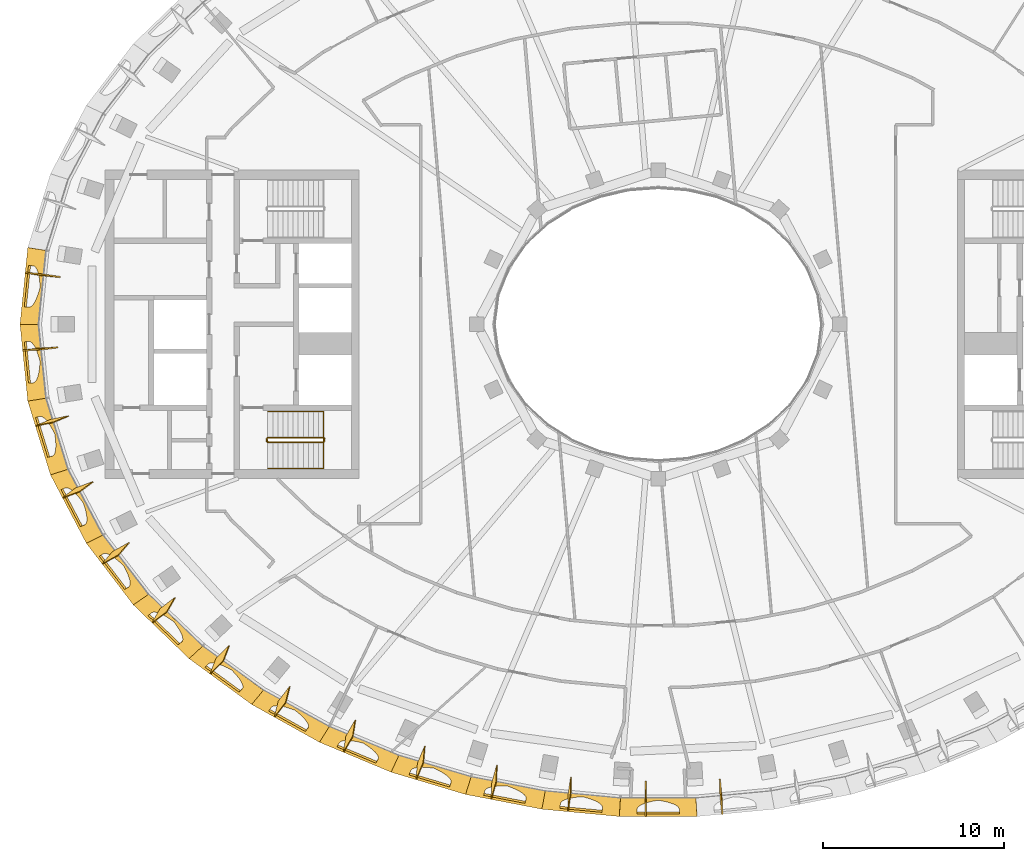
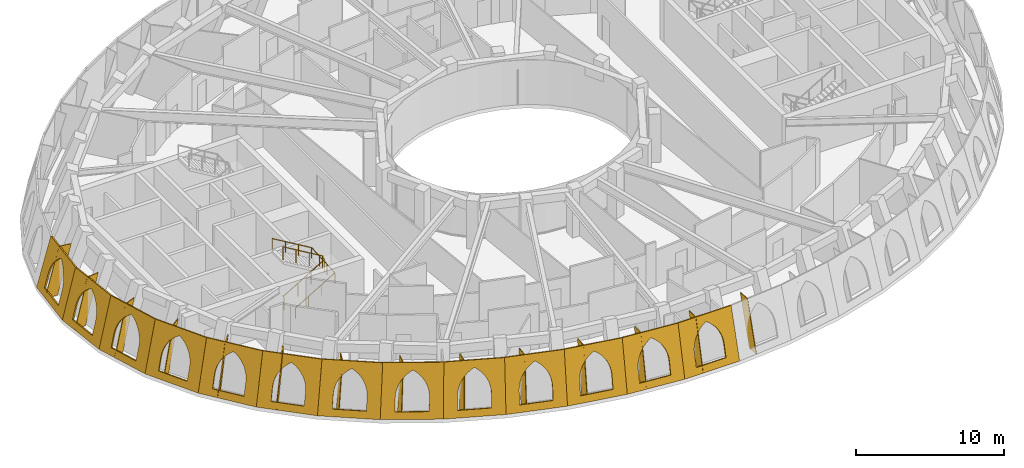
# One storey, part 11 of 14: 27 coverings, 2 railings.
"""IFC4 building model written with IfcOpenShell, lengths in metres."""

from ifc_helpers import new_model, si_unit, direction, frame, origin, origin_2d, place, context, subcontext, project, spatial, polyline, rectangle, outline, extrude, material, layer, layer_set, type_object, element, save


model = new_model("IFC4")

# Units and contexts
model_context = context("Model", 3, precision=1e-05, world=origin(), true_north=direction((0.0, 1.0)))
body_context = subcontext(model_context, "Body", "Model", "MODEL_VIEW")
ifc_project = project(units=[si_unit("LENGTHUNIT", "METRE"), si_unit("AREAUNIT", "SQUARE_METRE"), si_unit("VOLUMEUNIT", "CUBIC_METRE"), si_unit("PLANEANGLEUNIT", "RADIAN"), si_unit("MASSUNIT", "GRAM", prefix="KILO")], contexts=[model_context])

# Site, building, storey
site_placement = place(None, origin())
site = spatial("IfcSite", under=ifc_project, at=site_placement, CompositionType="ELEMENT")
building_placement = place(site_placement, origin())
building = spatial("IfcBuilding", under=site, at=building_placement, Name="Noorbagh Ring Tower", CompositionType="ELEMENT")
storey_placement = place(building_placement, frame((0.0, 0.0, 339.0)))
storey = spatial("IfcBuildingStorey", under=building, at=storey_placement, Name="L74", CompositionType="ELEMENT", Elevation=339.0)

# Railings
ifc_material_1 = material(Name="Stainless steel", Category="steel")
railing_type_1 = type_object("IfcRailingType", Name="CORE-STAIR-GUARD", PredefinedType="GUARDRAIL", material=ifc_material_1)
railing_1_placement = place(storey_placement, frame((-21.580078125, -6.449951171875, 0.0)))
element("IfcRailing", 1, at=railing_1_placement, inside=storey, type_object=railing_type_1, Name="L74 ST2 stair guard", PredefinedType="GUARDRAIL", context=body_context, shape_type="SweptSolid", body=[
    extrude(rectangle(XDim=0.048095703125, YDim=0.048095703125, at=origin_2d()), frame((0.0, 0.0, 1.076171875), z_axis=(0.0, 1.0, 0.0), x_axis=(-1.0, 0.0, 0.0)), (0.0, 0.0, 1.0), 0.14990234375),
    extrude(rectangle(XDim=0.048095703125, YDim=0.048095703125, at=origin_2d()), frame((0.0, 0.14990234375, 1.076171875), z_axis=(0.188775798145, -0.754182335027, 0.628945707965), x_axis=(0.970072785993, 0.242814311512, 0.0)), (0.0, 0.0, 1.0), 0.26513671875),
    extrude(rectangle(XDim=0.048095703125, YDim=0.048095703125, at=origin_2d()), frame((0.050048828125, -0.050048828125, 1.24267578125), z_axis=(0.859308565015, 0.0, 0.511457515432), x_axis=(0.0, 1.0, 0.0)), (0.0, 0.0, 1.0), 3.58447265625),
    extrude(rectangle(XDim=0.048095703125, YDim=0.048095703125, at=origin_2d()), frame((3.130126953125, -0.050048828125, 3.076171875), z_axis=(0.707106781187, 0.707106781187, 0.0), x_axis=(-0.707106781187, 0.707106781187, 0.0)), (0.0, 0.0, 1.0), 0.07080078125),
    extrude(rectangle(XDim=0.048095703125, YDim=0.048095703125, at=origin_2d()), frame((3.18017578125, 0.0, 3.076171875), z_axis=(0.0, 1.0, 0.0), x_axis=(-1.0, 0.0, 0.0)), (0.0, 0.0, 1.0), 0.14990234375),
    extrude(rectangle(XDim=0.048095703125, YDim=0.048095703125, at=origin_2d()), frame((3.18017578125, 0.14990234375, 3.076171875), z_axis=(-0.27628659633, 0.27628659633, 0.920506074601), x_axis=(-0.707106781187, -0.707106781187, 0.0)), (0.0, 0.0, 1.0), 0.18115234375),
    extrude(rectangle(XDim=0.048095703125, YDim=0.048095703125, at=origin_2d()), frame((3.130126953125, 0.199951171875, 3.24267578125), z_axis=(-0.859308565015, 0.0, 0.511457515432), x_axis=(0.0, -1.0, 0.0)), (0.0, 0.0, 1.0), 3.58447265625),
    extrude(rectangle(XDim=0.0419921875, YDim=0.0419921875, at=origin_2d()), origin(), (0.0, 0.0, 1.0), 1.052001953125),
    extrude(rectangle(XDim=0.0419921875, YDim=0.0419921875, at=origin_2d()), frame((1.07666015625, -0.050048828125, 0.77783203125)), (0.0, 0.0, 1.0), 1.052001953125),
    extrude(rectangle(XDim=0.0419921875, YDim=0.0419921875, at=origin_2d()), frame((2.103515625, -0.050048828125, 1.388916015625)), (0.0, 0.0, 1.0), 1.052001953125),
    extrude(rectangle(XDim=0.0419921875, YDim=0.0419921875, at=origin_2d()), frame((3.130126953125, -0.050048828125, 2.0)), (0.0, 0.0, 1.0), 1.052001953125),
    extrude(rectangle(XDim=0.0419921875, YDim=0.0419921875, at=origin_2d()), frame((3.130126953125, 0.199951171875, 2.166748046875)), (0.0, 0.0, 1.0), 1.052001953125),
    extrude(rectangle(XDim=0.0419921875, YDim=0.0419921875, at=origin_2d()), frame((2.103515625, 0.199951171875, 2.77783203125)), (0.0, 0.0, 1.0), 1.052001953125),
    extrude(rectangle(XDim=0.0419921875, YDim=0.0419921875, at=origin_2d()), frame((1.07666015625, 0.199951171875, 3.388916015625)), (0.0, 0.0, 1.0), 1.052001953125),
    extrude(rectangle(XDim=0.0419921875, YDim=0.0419921875, at=origin_2d()), frame((0.050048828125, 0.199951171875, 4.0)), (0.0, 0.0, 1.0), 1.052001953125),
])
ifc_material_2 = material(Name="Stainless steel", Category="steel")
railing_type_2 = type_object("IfcRailingType", Name="CORE-STAIR-HANDRAIL", PredefinedType="HANDRAIL", material=ifc_material_2)
railing_2_placement = place(storey_placement, frame((-21.530029296875, -7.949951171875, 0.166748046875)))
element("IfcRailing", 2, at=railing_2_placement, inside=storey, type_object=railing_type_2, Name="L74 ST2 stair handrail", PredefinedType="HANDRAIL", context=body_context, shape_type="SweptSolid", body=[
    extrude(rectangle(XDim=0.048095703125, YDim=0.048095703125, at=origin_2d()), frame((0.0, 0.0, 0.8759765625), z_axis=(0.859308565015, 0.0, 0.511457515432), x_axis=(0.0, 1.0, 0.0)), (0.0, 0.0, 1.0), 3.58447265625),
    extrude(rectangle(XDim=0.048095703125, YDim=0.048095703125, at=origin_2d()), frame((3.080078125, 0.0, 2.708984375), z_axis=(0.0, 0.998601747152, 0.052863509014), x_axis=(-1.0, 0.0, 0.0)), (0.0, 0.0, 1.0), 3.154296875),
    extrude(rectangle(XDim=0.048095703125, YDim=0.048095703125, at=origin_2d()), frame((3.080078125, 3.14990234375, 2.8759765625), z_axis=(-0.859308565015, 0.0, 0.511457515432), x_axis=(0.0, -1.0, 0.0)), (0.0, 0.0, 1.0), 3.58447265625),
    extrude(rectangle(XDim=0.0419921875, YDim=0.0419921875, at=origin_2d()), origin(), (0.0, 0.0, 1.0), 0.851806640625),
    extrude(rectangle(XDim=0.0419921875, YDim=0.0419921875, at=origin_2d()), frame((1.026611328125, 0.0, 0.611083984375)), (0.0, 0.0, 1.0), 0.851806640625),
    extrude(rectangle(XDim=0.0419921875, YDim=0.0419921875, at=origin_2d()), frame((2.053466796875, 0.0, 1.22216796875)), (0.0, 0.0, 1.0), 0.851806640625),
    extrude(rectangle(XDim=0.0419921875, YDim=0.0419921875, at=origin_2d()), frame((3.080078125, 0.0, 1.833251953125)), (0.0, 0.0, 1.0), 0.851806640625),
    extrude(rectangle(XDim=0.0419921875, YDim=0.0419921875, at=origin_2d()), frame((3.080078125, 1.050048828125, 1.888916015625)), (0.0, 0.0, 1.0), 0.851806640625),
    extrude(rectangle(XDim=0.0419921875, YDim=0.0419921875, at=origin_2d()), frame((3.080078125, 2.099853515625, 1.9443359375)), (0.0, 0.0, 1.0), 0.851806640625),
    extrude(rectangle(XDim=0.0419921875, YDim=0.0419921875, at=origin_2d()), frame((3.080078125, 3.14990234375, 2.0)), (0.0, 0.0, 1.0), 0.851806640625),
    extrude(rectangle(XDim=0.0419921875, YDim=0.0419921875, at=origin_2d()), frame((2.053466796875, 3.14990234375, 2.611083984375)), (0.0, 0.0, 1.0), 0.851806640625),
    extrude(rectangle(XDim=0.0419921875, YDim=0.0419921875, at=origin_2d()), frame((1.026611328125, 3.14990234375, 3.22216796875)), (0.0, 0.0, 1.0), 0.851806640625),
    extrude(rectangle(XDim=0.0419921875, YDim=0.0419921875, at=origin_2d()), frame((0.0, 3.14990234375, 3.833251953125)), (0.0, 0.0, 1.0), 0.851806640625),
])

# Coverings
ifc_material_3 = material(Name="Aluminium 6063-T6 black anodised", Category="aluminium")
ifc_layer_1 = layer(ifc_material_3, 0.050048828125)
ifc_layer_set_1 = layer_set([ifc_layer_1], Name="Aluminium 6063-T6 black anodised")
covering_type_1 = type_object("IfcCoveringType", Name="STYLE-HEAD-FIN", PredefinedType="CLADDING", material=ifc_layer_set_1)
covering_1_placement = place(storey_placement, frame((-34.90576171875, 2.822021484375, 0.0), z_axis=(-0.148774763606, -0.98880291837, 0.011612852198), x_axis=(0.248586038099, -0.026030535018, 0.968259982086)))
element("IfcCovering", 3, at=covering_1_placement, inside=storey, type_object=covering_type_1, Name="Fin rib F23 L74", ObjectType="FIN", PredefinedType="CLADDING", context=body_context, shape_type="SweptSolid", body=[
    extrude(outline(polyline([(0.0, 0.0), (4.130868073413099, -1.1102230246251565e-16), (4.355626234569627, -0.8716229924811776), (0.22470382631690833, -0.8714251954683824), (0.0, 0.0)])), origin(), (0.0, 0.0, -1.0), 0.050048828125),
])
covering_2_placement = place(storey_placement, frame((-35.048828125, -1.410888671875, 0.0), z_axis=(-0.125297411407, 0.991937840306, 0.018970494559), x_axis=(0.249060239151, 0.012939870264, 0.968401547413)))
element("IfcCovering", 4, at=covering_2_placement, inside=storey, type_object=covering_type_1, Name="Fin rib F24 L74", ObjectType="FIN", PredefinedType="CLADDING", context=body_context, shape_type="SweptSolid", body=[
    extrude(outline(polyline([(0.0, 0.0), (4.1307697836254, -2.220446049250313e-16), (4.3546566427257325, 0.871874150241866), (0.22382605337788425, 0.8716396901188801), (0.0, 0.0)])), origin(), (0.0, 0.0, -1.0), 0.050048828125),
])
covering_3_placement = place(storey_placement, frame((-34.345703125, -5.589111328125, 0.0), z_axis=(-0.383523308245, 0.922298368963, 0.047703151271), x_axis=(0.243611585311, 0.051208224605, 0.968520063414)))
element("IfcCovering", 5, at=covering_3_placement, inside=storey, type_object=covering_type_1, Name="Fin rib F25 L74", ObjectType="FIN", PredefinedType="CLADDING", context=body_context, shape_type="SweptSolid", body=[
    extrude(outline(polyline([(0.0, 0.0), (4.130774305742618, 0.0), (4.350931698916109, 0.8727503960503845), (0.22014489116553054, 0.8726568728425895), (0.0, 0.0)])), origin(), (0.0, 0.0, -1.0), 0.050048828125),
])
covering_4_placement = place(storey_placement, frame((-32.851318359375, -9.56005859375, 0.0), z_axis=(-0.59787887782, 0.798389513016, 0.071519458625), x_axis=(0.23270534382, 0.087495653424, 0.968603496581)))
element("IfcCovering", 6, at=covering_4_placement, inside=storey, type_object=covering_type_1, Name="Fin rib F26 L74", ObjectType="FIN", PredefinedType="CLADDING", context=body_context, shape_type="SweptSolid", body=[
    extrude(outline(polyline([(0.0, 0.0), (4.130904469436336, 0.0), (4.345746112020692, 0.8739312560778145), (0.21480619099978712, 0.8738894311997926), (0.0, 0.0)])), origin(), (0.0, 0.0, -1.0), 0.050048828125),
])
covering_5_placement = place(storey_placement, frame((-30.66845703125, -13.206787109375, 0.0), z_axis=(-0.756703334904, 0.647695910543, 0.088826068311), x_axis=(0.217114250491, 0.120813642427, 0.968641040859)))
element("IfcCovering", 7, at=covering_5_placement, inside=storey, type_object=covering_type_1, Name="Fin rib F27 L74", ObjectType="FIN", PredefinedType="CLADDING", context=body_context, shape_type="SweptSolid", body=[
    extrude(outline(polyline([(0.0, 0.0), (4.1310174563259, 0.0), (4.340690764642532, 0.8752921451520579), (0.2097263147254437, 0.8754426953083309), (0.0, 0.0)])), origin(), (0.0, 0.0, -1.0), 0.050048828125),
])
covering_6_placement = place(storey_placement, frame((-27.918212890625, -16.45751953125, 0.0), z_axis=(-0.863196479991, 0.495028875642, 0.099187948922), x_axis=(0.197630671874, 0.150527907076, 0.968650332538)))
element("IfcCovering", 8, at=covering_6_placement, inside=storey, type_object=covering_type_1, Name="Fin rib F28 L74", ObjectType="FIN", PredefinedType="CLADDING", context=body_context, shape_type="SweptSolid", body=[
    extrude(outline(polyline([(0.0, 0.0), (4.1309693594645545, -2.220446049250313e-16), (4.33698569223919, 0.8761447897794508), (0.2060163327746354, 0.8761447897794511), (0.0, 0.0)])), origin(), (0.0, 0.0, -1.0), 0.050048828125),
])
covering_7_placement = place(storey_placement, frame((-24.718505859375, -19.277099609375, 0.0), z_axis=(-0.928327419469, 0.357298111447, 0.10269499413), x_axis=(0.175050123032, 0.176409391374, 0.96862644041)))
element("IfcCovering", 9, at=covering_7_placement, inside=storey, type_object=covering_type_1, Name="Fin rib F29 L74", ObjectType="FIN", PredefinedType="CLADDING", context=body_context, shape_type="SweptSolid", body=[
    extrude(outline(polyline([(0.0, 0.0), (4.131071253904706, 0.0), (4.335811163382686, 0.8763016636186401), (0.20473990947797963, 0.8763016636186401), (0.0, 0.0)])), origin(), (0.0, 0.0, -1.0), 0.050048828125),
])
covering_8_placement = place(storey_placement, frame((-21.171630859375, -21.65576171875, 0.0), z_axis=(-0.964972352482, 0.242626246645, 0.099804125089), x_axis=(0.150058448834, 0.198392505462, 0.968567434777)))
element("IfcCovering", 10, at=covering_8_placement, inside=storey, type_object=covering_type_1, Name="Fin rib F30 L74", ObjectType="FIN", PredefinedType="CLADDING", context=body_context, shape_type="SweptSolid", body=[
    extrude(outline(polyline([(0.0, 0.0), (4.131067805415497, 1.1102230246251565e-16), (4.337160518435369, 0.8760610363482143), (0.2061411486901515, 0.8762928764967179), (0.0, 0.0)])), origin(), (0.0, 0.0, -1.0), 0.050048828125),
])
covering_9_placement = place(storey_placement, frame((-17.36181640625, -23.595703125, 0.0), z_axis=(-0.983958121337, 0.15357040274, 0.090788473157), x_axis=(0.123130053603, 0.216345317265, 0.968521395529)))
element("IfcCovering", 11, at=covering_9_placement, inside=storey, type_object=covering_type_1, Name="Fin rib F31 L74", ObjectType="FIN", PredefinedType="CLADDING", context=body_context, shape_type="SweptSolid", body=[
    extrude(outline(polyline([(0.0, 0.0), (4.131254213741502, 0.0), (4.340724586295225, 0.875228876694652), (0.20949313018645196, 0.8754327508945154), (0.0, 0.0)])), origin(), (0.0, 0.0, -1.0), 0.050048828125),
])
covering_10_placement = place(storey_placement, frame((-13.3583984375, -25.10546875, 0.0), z_axis=(-0.993171727579, 0.088308978501, 0.076232826614), x_axis=(0.094824495756, 0.230425751732, 0.968458717728)))
element("IfcCovering", 12, at=covering_10_placement, inside=storey, type_object=covering_type_1, Name="Fin rib F32 L74", ObjectType="FIN", PredefinedType="CLADDING", context=body_context, shape_type="SweptSolid", body=[
    extrude(outline(polyline([(0.0, 0.0), (4.131020875147568, 0.0), (4.345164178485972, 0.8741855241407781), (0.21412015282674524, 0.874168932931378), (0.0, 0.0)])), origin(), (0.0, 0.0, -1.0), 0.050048828125),
])
covering_11_placement = place(storey_placement, frame((-9.218505859375, -26.194580078125, 0.0), z_axis=(-0.997459477551, 0.04306749679, 0.056743117323), x_axis=(0.06548068307, 0.240652140043, 0.968400138185)))
element("IfcCovering", 13, at=covering_11_placement, inside=storey, type_object=covering_type_1, Name="Fin rib F33 L74", ObjectType="FIN", PredefinedType="CLADDING", context=body_context, shape_type="SweptSolid", body=[
    extrude(outline(polyline([(0.0, 0.0), (4.131028509619592, 0.0), (4.349957528268341, 0.872973939012567), (0.2188702656848717, 0.8727372067191157), (0.0, 0.0)])), origin(), (0.0, 0.0, -1.0), 0.050048828125),
])
covering_12_placement = place(storey_placement, frame((-4.989501953125, -26.87158203125, 0.0), z_axis=(-0.999366686379, 0.011658374258, 0.033620060463), x_axis=(0.035459076307, 0.247149761862, 0.968328275493)))
element("IfcCovering", 14, at=covering_12_placement, inside=storey, type_object=covering_type_1, Name="Fin rib F34 L74", ObjectType="FIN", PredefinedType="CLADDING", context=body_context, shape_type="SweptSolid", body=[
    extrude(outline(polyline([(0.0, 0.0), (4.131082652305149, 0.0), (4.3538655533073545, 0.8719531044132905), (0.2227829010022051, 0.8719531044132904), (0.0, 0.0)])), origin(), (0.0, 0.0, -1.0), 0.050048828125),
])
covering_13_placement = place(storey_placement, frame((-0.714599609375, -27.141357421875, 0.0), z_axis=(-0.999894074115, -0.011935794699, 0.008329307016), x_axis=(0.005082379348, 0.249923049544, 0.96825236314)))
element("IfcCovering", 15, at=covering_13_placement, inside=storey, type_object=covering_type_1, Name="Fin rib F35 L74", ObjectType="FIN", PredefinedType="CLADDING", context=body_context, shape_type="SweptSolid", body=[
    extrude(outline(polyline([(0.0, 0.0), (4.131154389364332, -1.1102230246251565e-16), (4.356006131533789, 0.8714248773832362), (0.22485174216945664, 0.8714248773832364), (0.0, 0.0)])), origin(), (0.0, 0.0, -1.0), 0.050048828125),
])
covering_14_placement = place(storey_placement, frame((3.56689453125, -27.00634765625, 0.0), z_axis=(0.999247361779, 0.034718692266, 0.017300935954), x_axis=(-0.025411841712, 0.248917854166, 0.968191169232)))
element("IfcCovering", 16, at=covering_14_placement, inside=storey, type_object=covering_type_1, Name="Fin rib F36 L74", ObjectType="FIN", PredefinedType="CLADDING", context=body_context, shape_type="SweptSolid", body=[
    extrude(outline(polyline([(0.0, 0.0), (4.131163334767062, 1.1102230246251565e-16), (4.355837673264905, -0.8714606473865072), (0.22467433849784285, -0.8714606473865074), (0.0, 0.0)])), origin(), (0.0, 0.0, -1.0), 0.050048828125),
])
ifc_material_4 = material(Name="Red sandstone jali", Category="masonry")
ifc_layer_2 = layer(ifc_material_4, 0.1201171875)
ifc_layer_set_2 = layer_set([ifc_layer_2], Name="Red sandstone jali")
covering_type_2 = type_object("IfcCoveringType", Name="STYLE-HEAD-SKIN", PredefinedType="CLADDING", material=ifc_layer_set_2)
covering_15_placement = place(storey_placement, frame((-34.7626953125, 4.23291015625, 0.0), z_axis=(-0.963316664854, 0.097639951215, 0.249974885022), x_axis=(-0.100843750954, -0.994902275508, -9.025694e-06)))
element("IfcCovering", 17, at=covering_15_placement, inside=storey, type_object=covering_type_2, Name="Head skin panel", ObjectType="HEAD SKIN", PredefinedType="CLADDING", context=body_context, shape_type="SweptSolid", body=[
    extrude(outline(polyline([(0.0, 0.0), (4.254638671875, 0.0), (4.150390625, 4.131103515625), (0.057373046875, 4.131103515625), (0.0, 0.0)]), holes=[polyline([(0.97802734375, 0.550048828125), (0.97216796875, 1.59619140625), (0.989990234375, 1.8955078125), (1.046875, 2.189453125), (1.1416015625, 2.473388671875), (1.272705078125, 2.7421875), (1.437744140625, 2.991455078125), (1.63427734375, 3.217041015625), (1.8583984375, 3.41455078125), (2.106689453125, 3.581298828125), (2.357177734375, 3.41455078125), (2.58349609375, 3.217041015625), (2.78271484375, 2.991455078125), (2.95068359375, 2.7421875), (3.084716796875, 2.473388671875), (3.1826171875, 2.189453125), (3.242919921875, 1.8955078125), (3.26416015625, 1.59619140625), (3.270263671875, 0.550048828125), (0.97802734375, 0.550048828125)])]), origin(), (0.0, 0.0, -1.0), 0.1201171875),
])
covering_16_placement = place(storey_placement, frame((-35.19189453125, 0.0, 0.0), z_axis=(-0.96353585428, -0.097690492134, 0.249108862276), x_axis=(0.100870887315, -0.99489952462, 1.976633e-06)))
element("IfcCovering", 18, at=covering_16_placement, inside=storey, type_object=covering_type_2, Name="Head skin panel", ObjectType="HEAD SKIN", PredefinedType="CLADDING", context=body_context, shape_type="SweptSolid", body=[
    extrude(outline(polyline([(0.0, 0.0), (4.254638671875, 0.0), (4.197509765625, 4.130126953125), (0.104248046875, 4.130126953125), (0.0, 0.0)]), holes=[polyline([(0.984375, 0.550048828125), (0.990234375, 1.59521484375), (1.01171875, 1.894287109375), (1.07177734375, 2.1884765625), (1.169921875, 2.472412109375), (1.303955078125, 2.7412109375), (1.471923828125, 2.990478515625), (1.6708984375, 3.216064453125), (1.8974609375, 3.413818359375), (2.147705078125, 3.580322265625), (2.39599609375, 3.413818359375), (2.620361328125, 3.216064453125), (2.816650390625, 2.990478515625), (2.98193359375, 2.7412109375), (3.113037109375, 2.472412109375), (3.207763671875, 2.1884765625), (3.264404296875, 1.894287109375), (3.282470703125, 1.59521484375), (3.276611328125, 0.550048828125), (0.984375, 0.550048828125)])]), origin(), (0.0, 0.0, -1.0), 0.1201171875),
])
covering_17_placement = place(storey_placement, frame((-34.7626953125, -4.23291015625, 0.0), z_axis=(-0.925987412451, -0.284734123494, 0.247939087076), x_axis=(0.293911397192, -0.955832668724, 3.10721e-07)))
element("IfcCovering", 19, at=covering_17_placement, inside=storey, type_object=covering_type_2, Name="Head skin panel", ObjectType="HEAD SKIN", PredefinedType="CLADDING", context=body_context, shape_type="SweptSolid", body=[
    extrude(outline(polyline([(0.0, 0.0), (4.257080078125, 0.0), (4.24462890625, 4.12890625), (0.146240234375, 4.12890625), (0.0, 0.0)]), holes=[polyline([(0.989990234375, 0.550048828125), (1.0068359375, 1.59130859375), (1.031494140625, 1.890869140625), (1.0947265625, 2.185302734375), (1.19580078125, 2.4697265625), (1.3330078125, 2.739013671875), (1.50390625, 2.988525390625), (1.70556640625, 3.21435546875), (1.934326171875, 3.412109375), (2.186767578125, 3.5791015625), (2.43359375, 3.412109375), (2.65625, 3.21435546875), (2.8505859375, 2.988525390625), (3.01318359375, 2.739013671875), (3.1416015625, 2.4697265625), (3.2333984375, 2.185302734375), (3.287353515625, 1.890869140625), (3.302001953125, 1.59130859375), (3.28515625, 0.550048828125), (0.989990234375, 0.550048828125)])]), origin(), (0.0, 0.0, -1.0), 0.1201171875),
])
covering_18_placement = place(storey_placement, frame((-33.511474609375, -8.302001953125, 0.0), z_axis=(-0.858084610486, -0.450314210016, 0.246795286634), x_axis=(0.464688989718, -0.885473965072, 3.896624e-06)))
element("IfcCovering", 20, at=covering_18_placement, inside=storey, type_object=covering_type_2, Name="Head skin panel", ObjectType="HEAD SKIN", PredefinedType="CLADDING", context=body_context, shape_type="SweptSolid", body=[
    extrude(outline(polyline([(0.0, 0.0), (4.26171875, 0.0), (4.28564453125, 4.127685546875), (0.17822265625, 4.127685546875), (0.0, 0.0)]), holes=[polyline([(0.994140625, 0.550048828125), (1.01953125, 1.585693359375), (1.046630859375, 1.885986328125), (1.112548828125, 2.180908203125), (1.21630859375, 2.4658203125), (1.35595703125, 2.73583984375), (1.529296875, 2.986083984375), (1.733154296875, 3.212158203125), (1.964111328125, 3.41064453125), (2.218505859375, 3.577880859375), (2.464599609375, 3.41064453125), (2.685791015625, 3.212158203125), (2.87890625, 2.986083984375), (3.039794921875, 2.73583984375), (3.166259765625, 2.4658203125), (3.256103515625, 2.180908203125), (3.3076171875, 1.885986328125), (3.31982421875, 1.585693359375), (3.29443359375, 0.550048828125), (0.994140625, 0.550048828125)])]), origin(), (0.0, 0.0, -1.0), 0.1201171875),
])
covering_19_placement = place(storey_placement, frame((-31.531005859375, -12.07568359375, 0.0), z_axis=(-0.77062895819, -0.587883594638, 0.246016031907), x_axis=(0.606523588444, -0.795065492039, -5.358807e-06)))
element("IfcCovering", 21, at=covering_19_placement, inside=storey, type_object=covering_type_2, Name="Head skin panel", ObjectType="HEAD SKIN", PredefinedType="CLADDING", context=body_context, shape_type="SweptSolid", body=[
    extrude(outline(polyline([(0.0, 0.0), (4.267333984375, 0.0), (4.3154296875, 4.126953125), (0.19677734375, 4.126708984375), (0.0, 0.0)]), holes=[polyline([(0.99658203125, 0.550048828125), (1.02734375, 1.57958984375), (1.055908203125, 1.880615234375), (1.12353515625, 2.176513671875), (1.22900390625, 2.462158203125), (1.37060546875, 2.732666015625), (1.545654296875, 2.983642578125), (1.751220703125, 3.21044921875), (1.98388671875, 3.4091796875), (2.23974609375, 3.576904296875), (2.485595703125, 3.4091796875), (2.70654296875, 3.21044921875), (2.898681640625, 2.983642578125), (3.058837890625, 2.732666015625), (3.184326171875, 2.462158203125), (3.272705078125, 2.176513671875), (3.32275390625, 1.880615234375), (3.33349609375, 1.57958984375), (3.302978515625, 0.550048828125), (0.99658203125, 0.550048828125)])]), origin(), (0.0, 0.0, -1.0), 0.1201171875),
])
covering_20_placement = place(storey_placement, frame((-28.94287109375, -15.468505859375, 0.0), z_axis=(-0.673179525847, -0.697462103212, 0.245715161443), x_axis=(0.71952222493, -0.694469414585, 6.23365e-06)))
element("IfcCovering", 22, at=covering_20_placement, inside=storey, type_object=covering_type_2, Name="Head skin panel", ObjectType="HEAD SKIN", PredefinedType="CLADDING", context=body_context, shape_type="SweptSolid", body=[
    extrude(outline(polyline([(0.0, 0.0), (4.272216796875, 0.0), (4.332275390625, 4.12646484375), (0.203369140625, 4.12646484375), (0.0, 0.0)]), holes=[polyline([(0.99755859375, 0.550048828125), (1.0302734375, 1.57421875), (1.059814453125, 1.8759765625), (1.128173828125, 2.172607421875), (1.234619140625, 2.458984375), (1.376953125, 2.730224609375), (1.552978515625, 2.981689453125), (1.759765625, 3.209228515625), (1.993408203125, 3.40869140625), (2.250244140625, 3.57666015625), (2.496337890625, 3.40869140625), (2.71728515625, 3.209228515625), (2.90966796875, 2.981689453125), (3.069580078125, 2.730224609375), (3.194580078125, 2.458984375), (3.28271484375, 2.172607421875), (3.332275390625, 1.8759765625), (3.34228515625, 1.57421875), (3.309814453125, 0.550048828125), (0.99755859375, 0.550048828125)])]), origin(), (0.0, 0.0, -1.0), 0.1201171875),
])
covering_21_placement = place(storey_placement, frame((-25.868896484375, -18.435302734375, 0.0), z_axis=(-0.57241572095, -0.782213366537, 0.245931884107), x_axis=(0.80699793231, -0.590554262728, -4.614053e-06)))
element("IfcCovering", 23, at=covering_21_placement, inside=storey, type_object=covering_type_2, Name="Head skin panel", ObjectType="HEAD SKIN", PredefinedType="CLADDING", context=body_context, shape_type="SweptSolid", body=[
    extrude(outline(polyline([(0.0, 0.0), (4.276611328125, 0.0), (4.33740234375, 4.126708984375), (0.199462890625, 4.126708984375), (0.0, 0.0)]), holes=[polyline([(0.9970703125, 0.550048828125), (1.029296875, 1.56982421875), (1.05859375, 1.872314453125), (1.127197265625, 2.169677734375), (1.233642578125, 2.456787109375), (1.376220703125, 2.728515625), (1.552490234375, 2.980712890625), (1.759521484375, 3.20849609375), (1.993896484375, 3.408447265625), (2.251220703125, 3.576904296875), (2.497802734375, 3.408447265625), (2.719482421875, 3.20849609375), (2.912109375, 2.980712890625), (3.072509765625, 2.728515625), (3.197998046875, 2.456787109375), (3.28662109375, 2.169677734375), (3.336181640625, 1.872314453125), (3.346435546875, 1.56982421875), (3.314208984375, 0.550048828125), (0.9970703125, 0.550048828125)])]), origin(), (0.0, 0.0, -1.0), 0.1201171875),
])
covering_22_placement = place(storey_placement, frame((-22.417724609375, -20.9609375, 0.0), z_axis=(-0.471977194858, -0.846458862553, 0.246464848489), x_axis=(0.87340235464, -0.48699930892, 4.512742e-06)))
element("IfcCovering", 24, at=covering_22_placement, inside=storey, type_object=covering_type_2, Name="Head skin panel", ObjectType="HEAD SKIN", PredefinedType="CLADDING", context=body_context, shape_type="SweptSolid", body=[
    extrude(outline(polyline([(0.0, 0.0), (4.2802734375, 0.0), (4.3330078125, 4.127197265625), (0.187255859375, 4.12744140625), (0.0, 0.0)]), holes=[polyline([(0.995361328125, 0.550048828125), (1.02490234375, 1.56689453125), (1.053466796875, 1.869873046875), (1.121337890625, 2.167724609375), (1.227294921875, 2.455078125), (1.36962890625, 2.7275390625), (1.545654296875, 2.97998046875), (1.75244140625, 3.20849609375), (1.98681640625, 3.40869140625), (2.244140625, 3.577392578125), (2.49169921875, 3.40869140625), (2.714111328125, 3.20849609375), (2.90771484375, 2.97998046875), (3.069091796875, 2.7275390625), (3.195556640625, 2.455078125), (3.284912109375, 2.167724609375), (3.33544921875, 1.869873046875), (3.346435546875, 1.56689453125), (3.31689453125, 0.550048828125), (0.995361328125, 0.550048828125)])]), origin(), (0.0, 0.0, -1.0), 0.1201171875),
])
covering_23_placement = place(storey_placement, frame((-18.67919921875, -23.04541015625, 0.0), z_axis=(-0.373482635496, -0.894092244472, 0.247203922619), x_axis=(0.922730711316, -0.385445241758, 1.199786e-06)))
element("IfcCovering", 25, at=covering_23_placement, inside=storey, type_object=covering_type_2, Name="Head skin panel", ObjectType="HEAD SKIN", PredefinedType="CLADDING", context=body_context, shape_type="SweptSolid", body=[
    extrude(outline(polyline([(0.0, 0.0), (4.283203125, 0.0), (4.3203125, 4.128173828125), (0.16845703125, 4.128173828125), (0.0, 0.0)]), holes=[polyline([(0.992919921875, 0.550048828125), (1.01806640625, 1.564697265625), (1.045654296875, 1.8681640625), (1.1123046875, 2.16650390625), (1.21728515625, 2.454345703125), (1.358642578125, 2.727294921875), (1.533935546875, 2.97998046875), (1.739990234375, 3.208740234375), (1.973876953125, 3.4091796875), (2.230712890625, 3.578125), (2.4794921875, 3.4091796875), (2.703125, 3.208740234375), (2.89794921875, 2.97998046875), (3.060546875, 2.727294921875), (3.188232421875, 2.454345703125), (3.27880859375, 2.16650390625), (3.330810546875, 1.8681640625), (3.343017578125, 1.564697265625), (3.31787109375, 0.550048828125), (0.992919921875, 0.550048828125)])]), origin(), (0.0, 0.0, -1.0), 0.1201171875),
])
covering_24_placement = place(storey_placement, frame((-14.72705078125, -24.6962890625, 0.0), z_axis=(-0.27748782861, -0.928172131078, 0.247985886823), x_axis=(0.958099323782, -0.286436180931, -4.756416e-06)))
element("IfcCovering", 26, at=covering_24_placement, inside=storey, type_object=covering_type_2, Name="Head skin panel", ObjectType="HEAD SKIN", PredefinedType="CLADDING", context=body_context, shape_type="SweptSolid", body=[
    extrude(outline(polyline([(0.0, 0.0), (4.285400390625, 0.0), (4.302001953125, 4.12890625), (0.145751953125, 4.12890625), (0.0, 0.0)]), holes=[polyline([(0.98974609375, 0.550048828125), (1.009521484375, 1.563232421875), (1.035400390625, 1.8671875), (1.1005859375, 2.165771484375), (1.204345703125, 2.4541015625), (1.34423828125, 2.72705078125), (1.518310546875, 2.980224609375), (1.7236328125, 3.209228515625), (1.95654296875, 3.409912109375), (2.212890625, 3.5791015625), (2.462890625, 3.409912109375), (2.687744140625, 3.209228515625), (2.884033203125, 2.980224609375), (3.048095703125, 2.72705078125), (3.177490234375, 2.4541015625), (3.269775390625, 2.165771484375), (3.3232421875, 1.8671875), (3.337158203125, 1.563232421875), (3.317138671875, 0.550048828125), (0.98974609375, 0.550048828125)])]), origin(), (0.0, 0.0, -1.0), 0.1201171875),
])
covering_25_placement = place(storey_placement, frame((-10.621337890625, -25.923828125, 0.0), z_axis=(-0.18363615281, -0.950993932385, 0.248773599781), x_axis=(0.981862061266, -0.189596657792, 4.03422e-07)))
element("IfcCovering", 27, at=covering_25_placement, inside=storey, type_object=covering_type_2, Name="Head skin panel", ObjectType="HEAD SKIN", PredefinedType="CLADDING", context=body_context, shape_type="SweptSolid", body=[
    extrude(outline(polyline([(0.0, 0.0), (4.28662109375, 0.0), (4.27880859375, 4.1298828125), (0.11962890625, 4.1298828125), (0.0, 0.0)]), holes=[polyline([(0.986083984375, 0.550048828125), (1.0, 1.562744140625), (1.02392578125, 1.86669921875), (1.08740234375, 2.16552734375), (1.189208984375, 2.4541015625), (1.32763671875, 2.727294921875), (1.50048828125, 2.980712890625), (1.704345703125, 3.209716796875), (1.936279296875, 3.41064453125), (2.19189453125, 3.579833984375), (2.44287109375, 3.41064453125), (2.669189453125, 3.209716796875), (2.866943359375, 2.980712890625), (3.03271484375, 2.727294921875), (3.163818359375, 2.4541015625), (3.2578125, 2.16552734375), (3.313232421875, 1.86669921875), (3.3291015625, 1.562744140625), (3.3154296875, 0.550048828125), (0.986083984375, 0.550048828125)])]), origin(), (0.0, 0.0, -1.0), 0.1201171875),
])
covering_26_placement = place(storey_placement, frame((-6.412353515625, -26.736572265625, 0.0), z_axis=(-0.091418656886, -0.96407927325, 0.249386816137), x_axis=(0.99553419187, -0.094401656848, -1.130861e-06)))
element("IfcCovering", 28, at=covering_26_placement, inside=storey, type_object=covering_type_2, Name="Head skin panel", ObjectType="HEAD SKIN", PredefinedType="CLADDING", context=body_context, shape_type="SweptSolid", body=[
    extrude(outline(polyline([(0.0, 0.0), (4.28759765625, 0.0), (4.252685546875, 4.130615234375), (0.09130859375, 4.130615234375), (0.0, 0.0)]), holes=[polyline([(0.982421875, 0.550048828125), (0.989501953125, 1.5625), (1.011474609375, 1.86669921875), (1.072998046875, 2.16552734375), (1.1728515625, 2.454345703125), (1.3095703125, 2.7275390625), (1.480712890625, 2.981201171875), (1.683349609375, 3.210205078125), (1.913818359375, 3.4111328125), (2.16845703125, 3.58056640625), (2.4208984375, 3.4111328125), (2.6484375, 3.210205078125), (2.847900390625, 2.981201171875), (3.015380859375, 2.7275390625), (3.1484375, 2.454345703125), (3.244384765625, 2.16552734375), (3.302001953125, 1.86669921875), (3.319580078125, 1.5625), (3.312744140625, 0.550048828125), (0.982421875, 0.550048828125)])]), origin(), (0.0, 0.0, -1.0), 0.1201171875),
])
covering_27_placement = place(storey_placement, frame((-2.143798828125, -27.141357421875, 0.0), z_axis=(0.0, -0.968264868643, 0.249926277435), x_axis=(1.0, 0.0, 0.0)))
element("IfcCovering", 29, at=covering_27_placement, inside=storey, type_object=covering_type_2, Name="Head skin panel", ObjectType="HEAD SKIN", PredefinedType="CLADDING", context=body_context, shape_type="SweptSolid", body=[
    extrude(outline(polyline([(0.0, 0.0), (4.28759765625, 0.0), (4.224609375, 4.131103515625), (0.06298828125, 4.131103515625), (0.0, 0.0)]), holes=[polyline([(0.978515625, 0.550048828125), (0.978515625, 1.562744140625), (0.99853515625, 1.866943359375), (1.05810546875, 2.166015625), (1.156005859375, 2.45458984375), (1.291015625, 2.72802734375), (1.460205078125, 2.9814453125), (1.661376953125, 3.210693359375), (1.890380859375, 3.411865234375), (2.143798828125, 3.5810546875), (2.3974609375, 3.411865234375), (2.626708984375, 3.210693359375), (2.82763671875, 2.9814453125), (2.9970703125, 2.72802734375), (3.1318359375, 2.45458984375), (3.22998046875, 2.166015625), (3.289306640625, 1.866943359375), (3.309326171875, 1.562744140625), (3.309326171875, 0.550048828125), (0.978515625, 0.550048828125)])]), origin(), (0.0, 0.0, -1.0), 0.1201171875),
])

save(model, "model.ifc")
